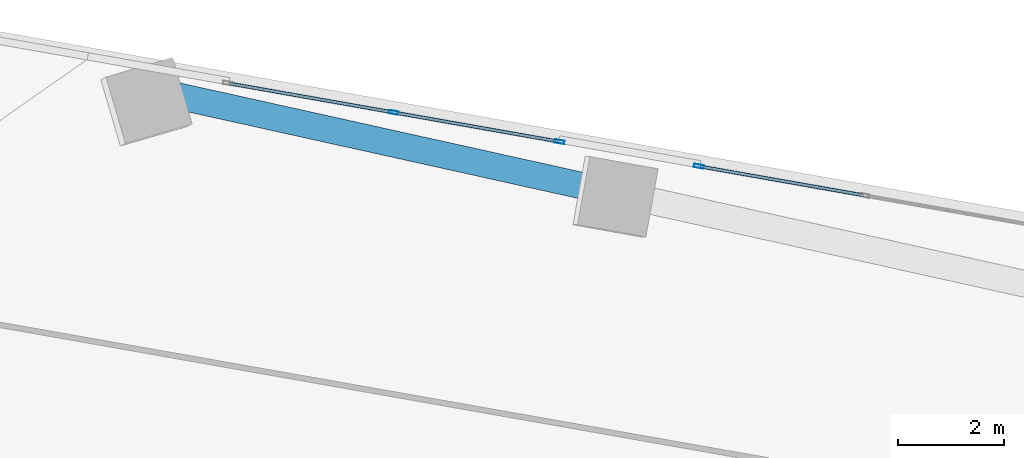
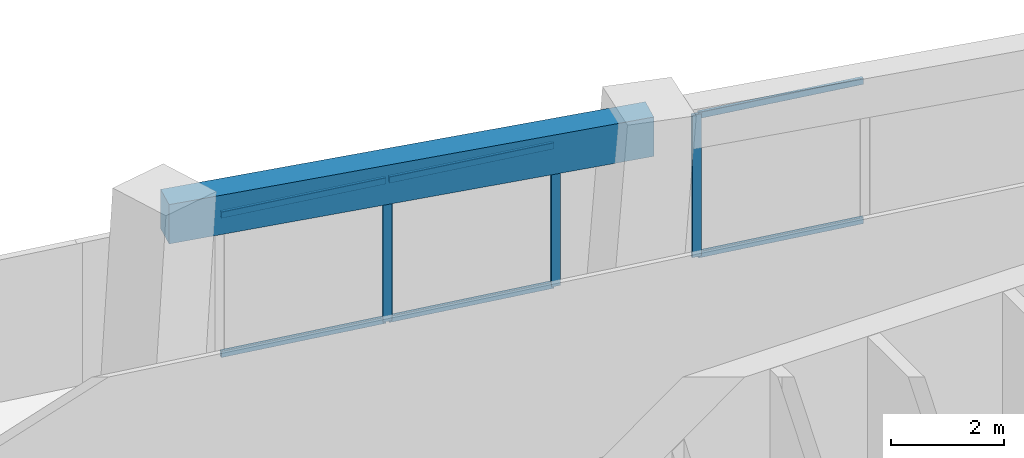
# One storey, part 16 of 24: 9 members, 1 beam, 2 elements without a shape of their own.
"""IFC4 building model written with IfcOpenShell, lengths in metres."""

from ifc_helpers import new_model, si_unit, direction, frame, origin, origin_2d, place, context, subcontext, project, spatial, rectangle, hollow_rectangle, extrude, source, transform, mapped, material, material_profile, profile_set, type_object, element, aggregate, save


model = new_model("IFC4")

# Units and contexts
model_context = context("Model", 3, precision=1e-05, world=origin(), true_north=direction((0.0, 1.0)))
body_context = subcontext(model_context, "Body", "Model", "MODEL_VIEW")
ifc_project = project(units=[si_unit("LENGTHUNIT", "METRE"), si_unit("AREAUNIT", "SQUARE_METRE"), si_unit("VOLUMEUNIT", "CUBIC_METRE"), si_unit("PLANEANGLEUNIT", "RADIAN"), si_unit("MASSUNIT", "GRAM", prefix="KILO")], contexts=[model_context])

# Site, building, storey
site_placement = place(None, origin())
site = spatial("IfcSite", under=ifc_project, at=site_placement, CompositionType="ELEMENT")
building_placement = place(site_placement, origin())
building = spatial("IfcBuilding", under=site, at=building_placement, Name="Torre Montelarca", CompositionType="ELEMENT")
storey_placement = place(building_placement, frame((0.0, 0.0, 83.199951171875)))
storey = spatial("IfcBuildingStorey", under=building, at=storey_placement, Name="L18", CompositionType="ELEMENT", Elevation=83.199951171875)

# Beam
ifc_material_1 = material(Name="Concrete C55/67", Category="concrete")
ifc_material_profile_1 = material_profile(ifc_material_1, rectangle(XDim=0.5, YDim=0.85009765625, at=origin_2d()), Name="RCB500X850", Category="concrete")
ifc_profile_set_1 = profile_set([ifc_material_profile_1], Name="Concrete C55/67")
beam_type = type_object("IfcBeamType", Name="BM-SP-RC850-EXT", PredefinedType="SPANDREL", material=ifc_profile_set_1)
shared_shape_1 = source(origin(), body_context, "Body", "SweptSolid", [
    extrude(rectangle(XDim=0.5, YDim=0.85009765625, at=origin_2d()), origin(), (0.0, 0.0, 1.0), 9.0),
])
beam_placement = place(storey_placement, frame((12.575439453125, 49.496337890625, 3.53515625), z_axis=(0.976294808562, -0.216445020214, 0.0), x_axis=(0.216445020214, 0.976294808562, 0.0)))
element("IfcBeam", 1, at=beam_placement, inside=storey, type_object=beam_type, Name="L18 Grid Girder X 9.0-18.0 at Y=47.1", PredefinedType="SPANDREL", context=body_context, shape_type="MappedRepresentation", body=[
    mapped(shared_shape_1, transform((0.0, 0.0, 0.0), scale=1.0)),
])

# Curtain wall, members
ifc_material_2 = material(Name="Insulated low-E laminated glass", Category="glass")
curtain_wall_type = type_object("IfcCurtainWallType", Name="CW-SYS-Z1", PredefinedType="USERDEFINED", material=ifc_material_2)
curtain_wall_1_placement = place(storey_placement, origin())
curtain_wall_1 = element("IfcCurtainWall", 2, at=curtain_wall_1_placement, inside=storey, type_object=curtain_wall_type, Name="L18 Curtain Wall Run CW-T3-L18-E08-B2", ObjectType="UNITISED GLAZING", PredefinedType="USERDEFINED")
ifc_material_3 = material(Name="Anodised aluminium AA 6063-T6", Category="aluminium")
ifc_material_profile_2 = material_profile(ifc_material_3, hollow_rectangle(XDim=0.06494140625, YDim=0.139892578125, WallThickness=0.00390625, InnerFilletRadius=0.00390625, OuterFilletRadius=0.008056640625, at=origin_2d()), Name="ALU65X140X4", Category="aluminium")
ifc_profile_set_2 = profile_set([ifc_material_profile_2], Name="Anodised aluminium AA 6063-T6")
member_type_1 = type_object("IfcMemberType", Name="CWT-ALU140", PredefinedType="USERDEFINED", material=ifc_profile_set_2)
shared_shape_2 = source(origin(), body_context, "Body", "SweptSolid", [
    extrude(hollow_rectangle(XDim=0.06494140625, YDim=0.139892578125, WallThickness=0.00390625, InnerFilletRadius=0.00390625, OuterFilletRadius=0.008056640625, at=origin_2d()), origin(), (0.0, 0.0, 1.0), 3.10498046875),
])
member_1_placement = place(storey_placement, frame((25.732421875, 47.571533203125, 0.032470703125), z_axis=(-0.984800967868, 0.173686653734, 0.0), x_axis=(-0.173686653734, -0.984800967868, 0.0)))
member_1 = element("IfcMember", 3, at=member_1_placement, type_object=member_type_1, Name="CW transom 2.1", ObjectType="TRANSOM", PredefinedType="USERDEFINED", context=body_context, shape_type="MappedRepresentation", body=[
    mapped(shared_shape_2, transform((0.0, 0.0, 0.0), scale=1.0)),
])
member_2_placement = place(storey_placement, frame((25.732421875, 47.571533203125, 3.04248046875), z_axis=(-0.984800967868, 0.173686653734, 0.0), x_axis=(-0.173686653734, -0.984800967868, 0.0)))
member_2 = element("IfcMember", 4, at=member_2_placement, type_object=member_type_1, Name="CW transom 2.2", ObjectType="TRANSOM", PredefinedType="USERDEFINED", context=body_context, shape_type="MappedRepresentation", body=[
    mapped(shared_shape_2, transform((0.0, 0.0, 0.0), scale=1.0)),
])

curtain_wall_2_placement = place(storey_placement, origin())
curtain_wall_2 = element("IfcCurtainWall", 5, at=curtain_wall_2_placement, inside=storey, type_object=curtain_wall_type, Name="L18 Curtain Wall Run CW-T3-L18-E08-B3", ObjectType="UNITISED GLAZING", PredefinedType="USERDEFINED")
shared_shape_3 = source(origin(), body_context, "Body", "SweptSolid", [
    extrude(hollow_rectangle(XDim=0.06494140625, YDim=0.139892578125, WallThickness=0.00390625, InnerFilletRadius=0.00390625, OuterFilletRadius=0.008056640625, at=origin_2d()), origin(), (0.0, 0.0, 1.0), 3.101806640625),
])
member_3_placement = place(storey_placement, frame((19.9931640625, 48.58349609375, 0.032470703125), z_axis=(-0.984797026055, 0.173709002278, 0.0), x_axis=(-0.173709002278, -0.984797026055, 0.0)))
member_3 = element("IfcMember", 6, at=member_3_placement, type_object=member_type_1, Name="CW transom 1.1", ObjectType="TRANSOM", PredefinedType="USERDEFINED", context=body_context, shape_type="MappedRepresentation", body=[
    mapped(shared_shape_3, transform((0.0, 0.0, 0.0), scale=1.0)),
])
member_4_placement = place(storey_placement, frame((19.9931640625, 48.58349609375, 3.04248046875), z_axis=(-0.984797026055, 0.173709002278, 0.0), x_axis=(-0.173709002278, -0.984797026055, 0.0)))
member_4 = element("IfcMember", 7, at=member_4_placement, type_object=member_type_1, Name="CW transom 1.2", ObjectType="TRANSOM", PredefinedType="USERDEFINED", context=body_context, shape_type="MappedRepresentation", body=[
    mapped(shared_shape_3, transform((0.0, 0.0, 0.0), scale=1.0)),
])
member_5_placement = place(storey_placement, frame((16.87451171875, 49.133544921875, 0.032470703125), z_axis=(-0.984810487744, 0.173632667516, 0.0), x_axis=(-0.173632667516, -0.984810487744, 0.0)))
member_5 = element("IfcMember", 8, at=member_5_placement, type_object=member_type_1, Name="CW transom 2.1", ObjectType="TRANSOM", PredefinedType="USERDEFINED", context=body_context, shape_type="MappedRepresentation", body=[
    mapped(shared_shape_3, transform((0.0, 0.0, 0.0), scale=1.0)),
])
member_6_placement = place(storey_placement, frame((16.87451171875, 49.133544921875, 3.04248046875), z_axis=(-0.984810487744, 0.173632667516, 0.0), x_axis=(-0.173632667516, -0.984810487744, 0.0)))
member_6 = element("IfcMember", 9, at=member_6_placement, type_object=member_type_1, Name="CW transom 2.2", ObjectType="TRANSOM", PredefinedType="USERDEFINED", context=body_context, shape_type="MappedRepresentation", body=[
    mapped(shared_shape_3, transform((0.0, 0.0, 0.0), scale=1.0)),
])

# Member
ifc_material_profile_3 = material_profile(ifc_material_3, hollow_rectangle(XDim=0.06494140625, YDim=0.179931640625, WallThickness=0.00390625, InnerFilletRadius=0.00390625, OuterFilletRadius=0.008056640625, at=origin_2d()), Name="ALU65X180X4", Category="aluminium")
ifc_profile_set_3 = profile_set([ifc_material_profile_3], Name="Anodised aluminium AA 6063-T6")
member_type_2 = type_object("IfcMemberType", Name="CWM-ALU180", PredefinedType="MULLION", material=ifc_profile_set_3)
shared_shape_4 = source(origin(), body_context, "Body", "SweptSolid", [
    extrude(hollow_rectangle(XDim=0.06494140625, YDim=0.179931640625, WallThickness=0.00390625, InnerFilletRadius=0.00390625, OuterFilletRadius=0.008056640625, at=origin_2d()), origin(), (0.0, 0.0, 1.0), 3.074951171875),
])
member_7_placement = place(storey_placement, frame((22.642578125, 48.116455078125, 0.0), z_axis=(0.0, 0.0, 1.0), x_axis=(-0.173645498104, -0.984808225488, 0.0)))
member_7 = element("IfcMember", 10, at=member_7_placement, type_object=member_type_2, Name="CW mullion 3", PredefinedType="MULLION", context=body_context, shape_type="MappedRepresentation", body=[
    mapped(shared_shape_4, transform((0.0, 0.0, 0.0), scale=1.0)),
])

aggregate(curtain_wall_1, [member_7, member_1, member_2])

member_8_placement = place(storey_placement, frame((20.025146484375, 48.577880859375, 0.0), z_axis=(0.0, 0.0, 1.0), x_axis=(-0.173647141497, -0.984807935716, 0.0)))
member_8 = element("IfcMember", 11, at=member_8_placement, type_object=member_type_2, Name="CW mullion 1", PredefinedType="MULLION", context=body_context, shape_type="MappedRepresentation", body=[
    mapped(shared_shape_4, transform((0.0, 0.0, 0.0), scale=1.0)),
])

member_9_placement = place(storey_placement, frame((16.906494140625, 49.1279296875, 0.0), z_axis=(0.0, 0.0, 1.0), x_axis=(-0.173647141497, -0.984807935716, 0.0)))
member_9 = element("IfcMember", 12, at=member_9_placement, type_object=member_type_2, Name="CW mullion 2", PredefinedType="MULLION", context=body_context, shape_type="MappedRepresentation", body=[
    mapped(shared_shape_4, transform((0.0, 0.0, 0.0), scale=1.0)),
])

aggregate(curtain_wall_2, [member_8, member_9, member_3, member_4, member_5, member_6])

save(model, "model.ifc")
